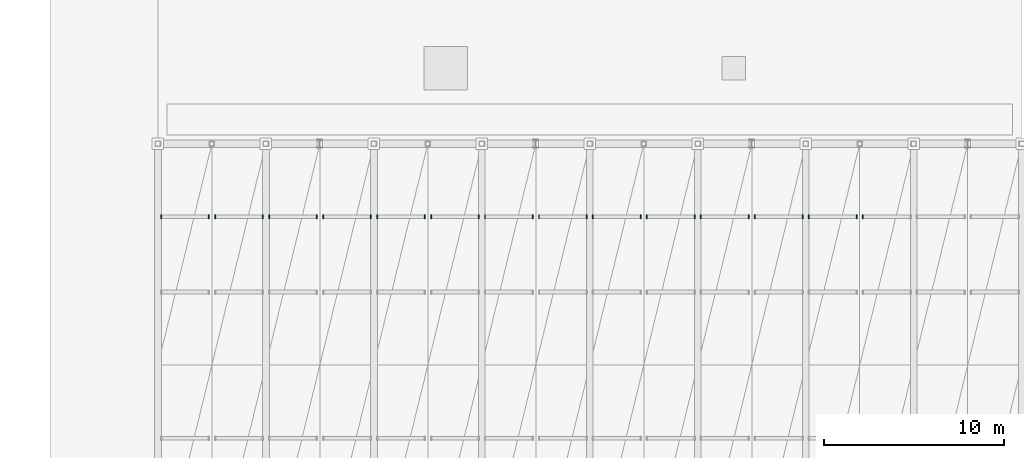
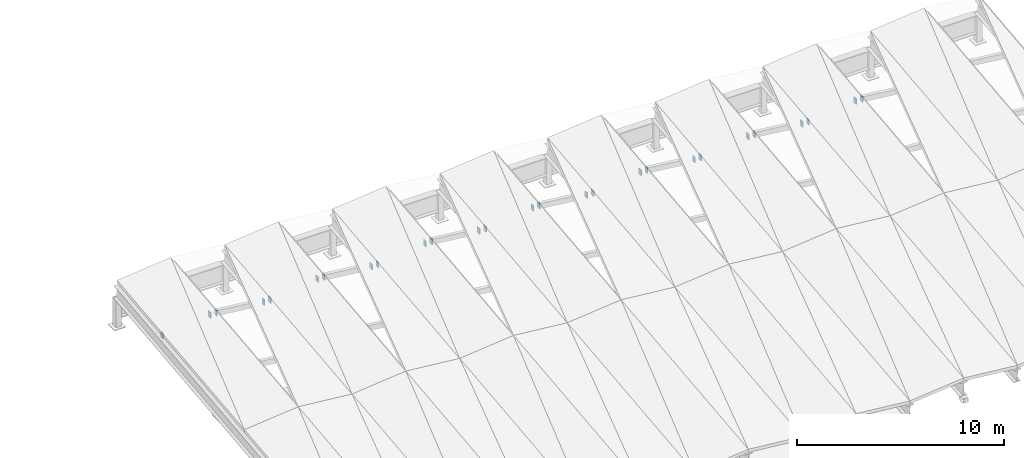
# One storey, part 50 of 52: 27 discrete accessories.
"""IFC4 building model written with IfcOpenShell, lengths in metres."""

import ifcopenshell
import ifcopenshell.guid

model = None  # the IFC model being written
_history = None  # IfcOwnerHistory: only IFC2X3 demands one
_inside = {}  # id of a spatial element -> (the spatial element, [elements in it])
_under = {}  # id of a project, library or spatial element -> (it, [spatial elements below it])
_declared = {}  # id of a project -> (the project, [libraries it declares])
_typed = {}  # id of a type object -> (the type object, [elements of that type])
_made_of = {}  # id of a material, layer set ... -> (it, [elements and type objects made of it])


def new_model(schema):
    """Start an empty IFC model of exactly this schema.

    Asked for "IFC4X3", IfcOpenShell would pick the latest addendum, in which some entities
    have other attributes; the version numbers below select the first issue.
    IFC2X3 requires an IfcOwnerHistory on every rooted entity: one is made here for all.
    """
    global model, _history
    if schema == "IFC4X3":
        model = ifcopenshell.file(schema_version=(4, 3, 0, 0))
    else:
        model = ifcopenshell.file(schema=schema)
    _inside.clear()
    _under.clear()
    _declared.clear()
    _typed.clear()
    _made_of.clear()
    _history = None
    if model.schema == "IFC2X3":
        org = make("IfcOrganization", Name="unknown")
        user = make(
            "IfcPersonAndOrganization",
            ThePerson=make("IfcPerson", FamilyName="unknown"),
            TheOrganization=org,
        )
        app = make(
            "IfcApplication",
            ApplicationDeveloper=org,
            Version="unknown",
            ApplicationFullName="unknown",
            ApplicationIdentifier="unknown",
        )
        _history = make(
            "IfcOwnerHistory",
            OwningUser=user,
            OwningApplication=app,
            ChangeAction="ADDED",
            CreationDate=0,
        )
    return model


def make(cls, **values):
    """One entity of the class cls with the attributes given. An attribute that is None is left unset."""
    return model.create_entity(
        cls, **{name: value for name, value in values.items() if value is not None}
    )


def rooted(cls, **values):
    """An entity with a GlobalId (a new one), such as an element, a storey or a relation."""
    return make(cls, GlobalId=ifcopenshell.guid.new(), OwnerHistory=_history, **values)


def si_unit(unit_type, name, prefix=None):
    """IfcSIUnit, for example si_unit("LENGTHUNIT", "METRE", prefix="MILLI")."""
    return make("IfcSIUnit", UnitType=unit_type, Prefix=prefix, Name=name)


def assignment(units):
    """IfcUnitAssignment: the units of a project."""
    return None if units is None else make("IfcUnitAssignment", Units=units)


def point(xyz):
    """IfcCartesianPoint."""
    return None if xyz is None else make("IfcCartesianPoint", Coordinates=xyz)


def direction(xyz):
    """IfcDirection."""
    return None if xyz is None else make("IfcDirection", DirectionRatios=xyz)


def frame(location, z_axis=None, x_axis=None):
    """IfcAxis2Placement3D, a coordinate frame: its origin and axes. An axis left out is left unset."""
    return make(
        "IfcAxis2Placement3D",
        Location=point(location),
        Axis=direction(z_axis),
        RefDirection=direction(x_axis),
    )


def frame_2d(location, x_axis=None):
    """IfcAxis2Placement2D, a coordinate frame in the plane: its origin and x axis."""
    return make(
        "IfcAxis2Placement2D", Location=point(location), RefDirection=direction(x_axis)
    )


def origin():
    """The frame at (0, 0, 0) with its axes left unset."""
    return frame((0.0, 0.0, 0.0))


def origin_2d():
    """The frame at (0, 0) in the plane with its x axis left unset."""
    return frame_2d((0.0, 0.0))


def place(relative_to, where):
    """IfcLocalPlacement: puts the frame where relative to a parent placement (None: the world)."""
    return make(
        "IfcLocalPlacement", PlacementRelTo=relative_to, RelativePlacement=where
    )


def context(
    kind, dimensions, precision=None, world=None, true_north=None, identifier=None
):
    """IfcGeometricRepresentationContext, for example the 3D "Model" context."""
    return make(
        "IfcGeometricRepresentationContext",
        ContextIdentifier=identifier,
        ContextType=kind,
        CoordinateSpaceDimension=dimensions,
        Precision=precision,
        WorldCoordinateSystem=world,
        TrueNorth=true_north,
    )


def subcontext(parent, identifier, kind, view, scale=None):
    """IfcGeometricRepresentationSubContext, for example "Body" below "Model"."""
    return make(
        "IfcGeometricRepresentationSubContext",
        ContextIdentifier=identifier,
        ContextType=kind,
        ParentContext=parent,
        TargetScale=scale,
        TargetView=view,
    )


def project(units=None, contexts=None):
    """IfcProject with its units and contexts."""
    return rooted(
        "IfcProject",
        Name="project",
        RepresentationContexts=contexts,
        UnitsInContext=assignment(units),
    )


def spatial(cls, under=None, at=None, **own):
    """A site, building, storey or space (cls), placed at a placement, below another one or the project."""
    s = rooted(cls, ObjectPlacement=at, **own)
    if under is not None:
        _under.setdefault(under.id(), (under, []))[1].append(s)
    return s


def profile(cls, at=None, kind="AREA", **sizes):
    """A parametric profile (cls). Its sizes go by their IFC names, for example OverallWidth=200.0."""
    return make(cls, ProfileType=kind, Position=at, **sizes)


def rectangle(**sizes):
    """IfcRectangleProfileDef."""
    return profile("IfcRectangleProfileDef", **sizes)


def extrude(swept, where, along, depth):
    """IfcExtrudedAreaSolid: the profile swept, set in the frame where, extruded along a direction by depth."""
    return make(
        "IfcExtrudedAreaSolid",
        SweptArea=swept,
        Position=where,
        ExtrudedDirection=direction(along),
        Depth=depth,
    )


def shape(context_of_items, identifier, shape_type, items):
    """IfcShapeRepresentation: the items that make up one representation, for example the "Body"."""
    return make(
        "IfcShapeRepresentation",
        ContextOfItems=context_of_items,
        RepresentationIdentifier=identifier,
        RepresentationType=shape_type,
        Items=items,
    )


def material(Name=None, Category=None):
    """IfcMaterial."""
    return make("IfcMaterial", Name=Name, Category=Category)


def layer(
    of_material, thickness, ventilated=None, Name=None, Category=None, Priority=None
):
    """IfcMaterialLayer: one layer of a wall or slab, of a material (None: an air gap)."""
    return make(
        "IfcMaterialLayer",
        Material=of_material,
        LayerThickness=thickness,
        IsVentilated=ventilated,
        Name=Name,
        Category=Category,
        Priority=Priority,
    )


def layer_set(layers, Name=None):
    """IfcMaterialLayerSet."""
    return make("IfcMaterialLayerSet", MaterialLayers=layers, LayerSetName=Name)


def made_of(thing, what):
    """Note that an element or type object is made of a material, layer set ...; save() writes the relation."""
    if what is not None:
        _made_of.setdefault(what.id(), (what, []))[1].append(thing)
    return thing


def type_object(cls, material=None, **own):
    """A type object (cls), such as IfcWallType, which elements share."""
    return made_of(rooted(cls, **own), material)


def element(
    cls,
    number,
    at=None,
    inside=None,
    cuts=None,
    type_object=None,
    material=None,
    context=None,
    identifier="Body",
    shape_type=None,
    held_by="IfcProductDefinitionShape",
    body=None,
    shapes=None,
    **own,
):
    """One element of the class cls, such as IfcWall. Its Tag is "e" and its number.

    at: its placement. inside: the storey or other place that contains it. cuts: it is an
    opening in that element (IfcRelVoidsElement). A single representation is given by context,
    identifier, shape_type and body (its items); several are given by shapes. held_by: the class
    of the entity that holds the representations. save() writes the other relations.
    """
    e = rooted(cls, Tag="e%d" % number, ObjectPlacement=at, **own)
    if body is not None:
        shapes = [shape(context, identifier, shape_type, body)]
    if shapes is not None:
        e.Representation = make(held_by, Representations=shapes)
    if inside is not None:
        _inside.setdefault(inside.id(), (inside, []))[1].append(e)
    if cuts is not None:
        rooted(
            "IfcRelVoidsElement", RelatingBuildingElement=cuts, RelatedOpeningElement=e
        )
    if type_object is not None:
        _typed.setdefault(type_object.id(), (type_object, []))[1].append(e)
    return made_of(e, material)


def aggregate(whole, parts):
    """IfcRelAggregates: a whole, such as a stair, and the parts it consists of."""
    return rooted("IfcRelAggregates", RelatingObject=whole, RelatedObjects=parts)


def save(model, path):
    """Write the relations noted so far, then the file.

    IfcRelAggregates (storeys below a building ...), IfcRelContainedInSpatialStructure (elements
    in a storey), IfcRelDefinesByType, IfcRelAssociatesMaterial and IfcRelDeclares: one each for
    every whole, place, type object, material and project.
    """
    for whole, parts in _under.values():
        aggregate(whole, parts)
    for where, things in _inside.values():
        rooted(
            "IfcRelContainedInSpatialStructure",
            RelatedElements=things,
            RelatingStructure=where,
        )
    for kind, things in _typed.values():
        rooted("IfcRelDefinesByType", RelatedObjects=things, RelatingType=kind)
    for what, things in _made_of.values():
        rooted("IfcRelAssociatesMaterial", RelatedObjects=things, RelatingMaterial=what)
    for by, libraries in _declared.values():
        rooted("IfcRelDeclares", RelatingContext=by, RelatedDefinitions=libraries)
    model.write(path)


model = new_model("IFC4")

# Units and contexts
model_context = context("Model", 3, precision=1e-05, world=origin(), true_north=direction((0.0, 1.0)))
body_context = subcontext(model_context, "Body", "Model", "MODEL_VIEW")
ifc_project = project(units=[si_unit("LENGTHUNIT", "METRE"), si_unit("AREAUNIT", "SQUARE_METRE"), si_unit("VOLUMEUNIT", "CUBIC_METRE"), si_unit("PLANEANGLEUNIT", "RADIAN"), si_unit("MASSUNIT", "GRAM", prefix="KILO")], contexts=[model_context])

# Site, building, storey
site_placement = place(None, origin())
site = spatial("IfcSite", under=ifc_project, at=site_placement, CompositionType="ELEMENT")
building_placement = place(site_placement, origin())
building = spatial("IfcBuilding", under=site, at=building_placement, Name="Vaelkrest Opera House", CompositionType="ELEMENT")
storey_placement = place(building_placement, frame((0.0, 0.0, 41.39990234375)))
storey = spatial("IfcBuildingStorey", under=building, at=storey_placement, Name="ROOF", CompositionType="ELEMENT", Elevation=41.39990234375)

# Discrete accessories
ifc_material = material(Name="Steel A572 Gr50", Category="steel")
ifc_layer = layer(ifc_material, 0.320068359375)
ifc_layer_set = layer_set([ifc_layer], Name="Steel A572 Gr50")
discrete_accessory_type = type_object("IfcDiscreteAccessoryType", Name="ECP01", PredefinedType="USERDEFINED", material=ifc_layer_set)
for number, where, z_axis, x_axis, name in (
    (1, (-17.822509765625, 37.94091796875, 1.69873046875), (0.0, 0.0, 1.0), (1.0, 0.0, 0.0), "Purlin HSS end cap plate V2-01-S2-67-W0"),
    (2, (-15.177490234375, 37.94091796875, 1.99853515625), (0.0, 0.0, 1.0), (1.0, 0.0, 0.0), "Purlin HSS end cap plate V2-01-S2-67-W1"),
    (3, (-14.822509765625, 37.94091796875, 1.99853515625), (0.0, 0.0, 1.0), (1.0, 0.0, 0.0), "Purlin HSS end cap plate V2-01-S2-67-E0"),
    (4, (-12.177490234375, 37.94091796875, 1.69873046875), (0.0, 0.0, 1.0), (1.0, 0.0, 0.0), "Purlin HSS end cap plate V2-01-S2-67-E1"),
    (5, (-11.822509765625, 37.94091796875, 1.69873046875), (0.0, 0.0, 1.0), (1.0, 0.0, 0.0), "Purlin HSS end cap plate V2-02-S2-67-W0"),
    (6, (-9.177490234375, 37.94091796875, 1.99853515625), (0.0, 0.0, 1.0), (1.0, 0.0, 0.0), "Purlin HSS end cap plate V2-02-S2-67-W1"),
    (7, (-8.822509765625, 37.94091796875, 1.99853515625), (0.0, 0.0, 1.0), (1.0, 0.0, 0.0), "Purlin HSS end cap plate V2-02-S2-67-E0"),
    (8, (-6.177490234375, 37.94091796875, 1.69873046875), (0.0, 0.0, 1.0), (1.0, 0.0, 0.0), "Purlin HSS end cap plate V2-02-S2-67-E1"),
    (9, (-5.822509765625, 37.94091796875, 1.69873046875), (0.0, 0.0, 1.0), (1.0, 0.0, 0.0), "Purlin HSS end cap plate V2-03-S2-67-W0"),
    (10, (-3.177490234375, 37.94091796875, 1.99853515625), (0.0, 0.0, 1.0), (1.0, 0.0, 0.0), "Purlin HSS end cap plate V2-03-S2-67-W1"),
    (11, (-2.822509765625, 37.94091796875, 1.99853515625), (0.0, 0.0, 1.0), (1.0, 0.0, 0.0), "Purlin HSS end cap plate V2-03-S2-67-E0"),
    (12, (-0.177490234375, 37.94091796875, 1.69873046875), (0.0, 0.0, 1.0), (1.0, 0.0, 0.0), "Purlin HSS end cap plate V2-03-S2-67-E1"),
    (13, (0.177490234375, 37.94091796875, 1.69873046875), (0.0, 0.0, 1.0), (1.0, 0.0, 0.0), "Purlin HSS end cap plate V2-04-S2-67-W0"),
    (14, (2.822509765625, 37.94091796875, 1.99853515625), (0.0, 0.0, 1.0), (1.0, 0.0, 0.0), "Purlin HSS end cap plate V2-04-S2-67-W1"),
    (15, (3.177490234375, 37.94091796875, 1.99853515625), (0.0, 0.0, 1.0), (1.0, 0.0, 0.0), "Purlin HSS end cap plate V2-04-S2-67-E0"),
    (16, (5.822509765625, 37.94091796875, 1.69873046875), (0.0, 0.0, 1.0), (1.0, 0.0, 0.0), "Purlin HSS end cap plate V2-04-S2-67-E1"),
    (17, (6.177490234375, 37.94091796875, 1.69873046875), (0.0, 0.0, 1.0), (1.0, 0.0, 0.0), "Purlin HSS end cap plate V2-05-S2-67-W0"),
    (18, (8.822509765625, 37.94091796875, 1.99853515625), (0.0, 0.0, 1.0), (1.0, 0.0, 0.0), "Purlin HSS end cap plate V2-05-S2-67-W1"),
    (19, (9.177490234375, 37.94091796875, 1.99853515625), (0.0, 0.0, 1.0), (1.0, 0.0, 0.0), "Purlin HSS end cap plate V2-05-S2-67-E0"),
    (20, (11.822509765625, 37.94091796875, 1.69873046875), (0.0, 0.0, 1.0), (1.0, 0.0, 0.0), "Purlin HSS end cap plate V2-05-S2-67-E1"),
    (21, (12.177490234375, 37.94091796875, 1.69873046875), (0.0, 0.0, 1.0), (1.0, 0.0, 0.0), "Purlin HSS end cap plate V2-06-S2-67-W0"),
    (22, (14.822509765625, 37.94091796875, 1.99853515625), (0.0, 0.0, 1.0), (1.0, 0.0, 0.0), "Purlin HSS end cap plate V2-06-S2-67-W1"),
    (23, (15.177490234375, 37.94091796875, 1.99853515625), (0.0, 0.0, 1.0), (1.0, 0.0, 0.0), "Purlin HSS end cap plate V2-06-S2-67-E0"),
    (24, (17.822509765625, 37.94091796875, 1.69873046875), (0.0, 0.0, 1.0), (1.0, 0.0, 0.0), "Purlin HSS end cap plate V2-06-S2-67-E1"),
    (25, (18.177490234375, 37.94091796875, 1.69873046875), (0.0, 0.0, 1.0), (1.0, 0.0, 0.0), "Purlin HSS end cap plate V2-07-S2-67-W0"),
    (26, (20.822509765625, 37.94091796875, 1.99853515625), (0.0, 0.0, 1.0), (1.0, 0.0, 0.0), "Purlin HSS end cap plate V2-07-S2-67-W1"),
    (27, (21.177490234375, 37.94091796875, 1.99853515625), (0.0, 0.0, 1.0), (1.0, 0.0, 0.0), "Purlin HSS end cap plate V2-07-S2-67-E0"),
):
    element("IfcDiscreteAccessory", number, at=place(storey_placement, frame(where, z_axis=z_axis, x_axis=x_axis)), inside=storey, type_object=discrete_accessory_type, Name=name, ObjectType="CAP PLATE", PredefinedType="USERDEFINED", context=body_context, shape_type="SweptSolid", body=[
        extrude(rectangle(XDim=0.054931640625, YDim=0.22705078125, at=origin_2d()), origin(), (0.0, 0.0, 1.0), 0.321044921875),
    ])

save(model, "model.ifc")
